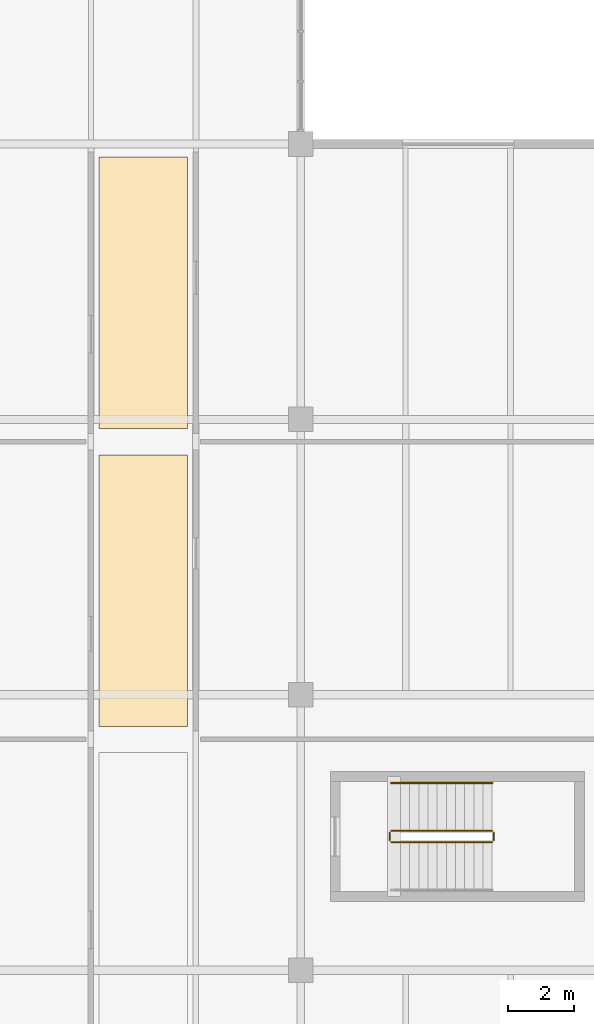
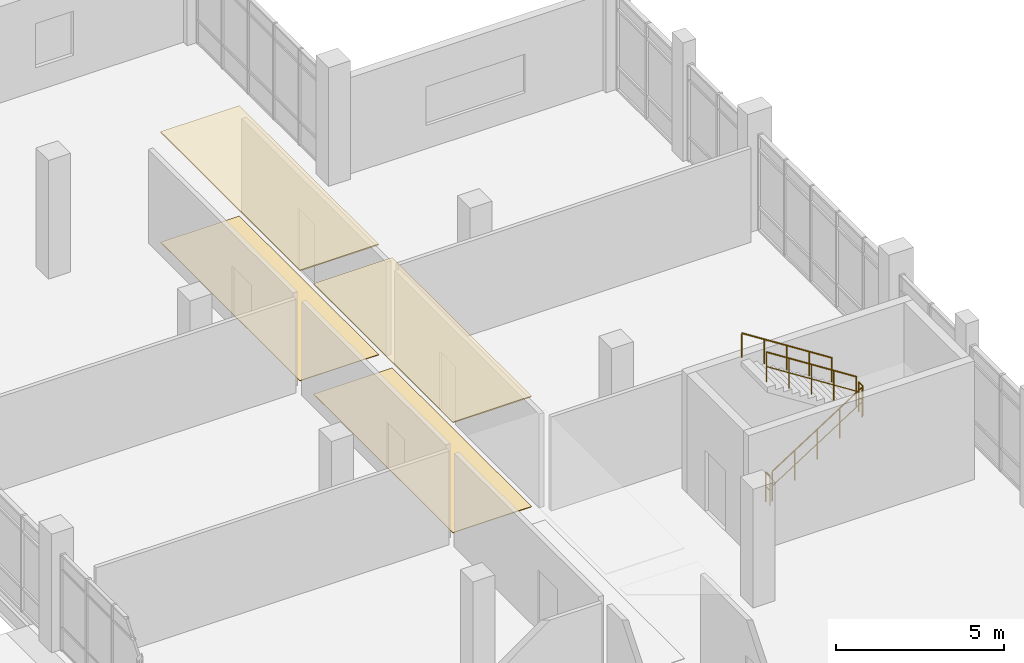
# One storey, part 80 of 86: 5 railings, 4 coverings.
"""IFC4 building model written with IfcOpenShell, lengths in metres."""

from ifc_helpers import new_model, si_unit, direction, frame, origin, origin_2d, place, context, subcontext, project, spatial, polyline, circle, outline, extrude, material, layer, layer_set, type_object, element, save


model = new_model("IFC4")

# Units and contexts
model_context = context("Model", 3, precision=1e-05, world=origin(), true_north=direction((0.0, 1.0)))
body_context = subcontext(model_context, "Body", "Model", "MODEL_VIEW")
ifc_project = project(units=[si_unit("LENGTHUNIT", "METRE"), si_unit("AREAUNIT", "SQUARE_METRE"), si_unit("VOLUMEUNIT", "CUBIC_METRE"), si_unit("PLANEANGLEUNIT", "RADIAN"), si_unit("MASSUNIT", "GRAM", prefix="KILO")], contexts=[model_context])

# Site, building, storey
site_placement = place(None, origin())
site = spatial("IfcSite", under=ifc_project, at=site_placement, CompositionType="ELEMENT")
building_placement = place(site_placement, origin())
building = spatial("IfcBuilding", under=site, at=building_placement, Name="Oolite Switchyard Hospital", CompositionType="ELEMENT")
storey_placement = place(building_placement, frame((0.0, 0.0, 13.5)))
storey = spatial("IfcBuildingStorey", under=building, at=storey_placement, Name="L03", CompositionType="ELEMENT", Elevation=13.5)

# Coverings
ifc_material_1 = material(Name="Hygienic washable mineral-fibre acoustic ceiling")
ifc_layer_1 = layer(ifc_material_1, 0.0400390625)
ifc_layer_set_1 = layer_set([ifc_layer_1], Name="COV-CEIL-AC60")
covering_type_1 = type_object("IfcCoveringType", Name="COV-CEIL-AC60", PredefinedType="CEILING", material=ifc_layer_set_1)
covering_1_placement = place(storey_placement, frame((0.0, 0.0, 3.985107421875)))
element("IfcCovering", 1, at=covering_1_placement, inside=storey, type_object=covering_type_1, Name="L03 Maternal Fetal Medicine Corridor Ceiling 4", PredefinedType="CEILING", context=body_context, shape_type="SweptSolid", body=[
    extrude(outline(polyline([(195.449951171875, 49.43994140625), (198.14990234375, 49.43994140625), (198.14990234375, 57.719970703125), (195.449951171875, 57.719970703125), (195.449951171875, 49.43994140625)])), origin(), (0.0, 0.0, 1.0), 0.039794921875),
])
covering_2_placement = place(storey_placement, frame((0.0, 0.0, 3.985107421875)))
element("IfcCovering", 2, at=covering_2_placement, inside=storey, type_object=covering_type_1, Name="L03 Maternal Fetal Medicine Corridor Ceiling 5", PredefinedType="CEILING", context=body_context, shape_type="SweptSolid", body=[
    extrude(outline(polyline([(195.449951171875, 58.52001953125), (198.14990234375, 58.52001953125), (198.14990234375, 66.800048828125), (195.449951171875, 66.800048828125), (195.449951171875, 58.52001953125)])), origin(), (0.0, 0.0, 1.0), 0.039794921875),
])
ifc_material_2 = material(Name="Epoxy terrazzo seamless clinical flooring")
ifc_layer_2 = layer(ifc_material_2, 0.02001953125)
ifc_layer_set_2 = layer_set([ifc_layer_2], Name="COV-FLR-TER20")
covering_type_2 = type_object("IfcCoveringType", Name="COV-FLR-TER20", PredefinedType="FLOORING", material=ifc_layer_set_2)
covering_3_placement = place(storey_placement, origin())
element("IfcCovering", 3, at=covering_3_placement, inside=storey, type_object=covering_type_2, Name="L03 Maternal Fetal Medicine Corridor Flooring 4", PredefinedType="FLOORING", context=body_context, shape_type="SweptSolid", body=[
    extrude(outline(polyline([(195.449951171875, 49.43994140625), (198.14990234375, 49.43994140625), (198.14990234375, 57.719970703125), (195.449951171875, 57.719970703125), (195.449951171875, 49.43994140625)])), origin(), (0.0, 0.0, 1.0), 0.02001953125),
])
covering_4_placement = place(storey_placement, origin())
element("IfcCovering", 4, at=covering_4_placement, inside=storey, type_object=covering_type_2, Name="L03 Maternal Fetal Medicine Corridor Flooring 5", PredefinedType="FLOORING", context=body_context, shape_type="SweptSolid", body=[
    extrude(outline(polyline([(195.449951171875, 58.52001953125), (198.14990234375, 58.52001953125), (198.14990234375, 66.800048828125), (195.449951171875, 66.800048828125), (195.449951171875, 58.52001953125)])), origin(), (0.0, 0.0, 1.0), 0.02001953125),
])

# Railings
ifc_material_3 = material(Name="Galvanized painted architectural steel handrail", Category="steel")
railing_type_1 = type_object("IfcRailingType", Name="RL-STAIR-GRD", PredefinedType="GUARDRAIL", material=ifc_material_3)
railing_1_placement = place(storey_placement, frame((204.360107421875, 45.909912109375, 0.17919921875)))
element("IfcRailing", 5, at=railing_1_placement, inside=storey, type_object=railing_type_1, Name="L03 ST-06 stair guard 1", PredefinedType="GUARDRAIL", context=body_context, shape_type="SweptSolid", body=[
    extrude(circle(Radius=0.02392578125, at=origin_2d()), frame((0.0, 0.0, 1.076171875), z_axis=(0.842319903074, 0.0, 0.538977903893), x_axis=(0.0, 1.0, 0.0)), (0.0, 0.0, 1.0), 3.65625),
    extrude(circle(Radius=0.015625, at=origin_2d()), frame((0.0, 0.0, 0.550048828125), z_axis=(0.842319903074, 0.0, 0.538977903893), x_axis=(0.0, 1.0, 0.0)), (0.0, 0.0, 1.0), 3.65625),
    extrude(circle(Radius=0.02099609375, at=origin_2d()), origin(), (0.0, 0.0, 1.0), 1.052001953125),
    extrude(circle(Radius=0.02099609375, at=origin_2d()), frame((0.77001953125, 0.0, 0.49267578125)), (0.0, 0.0, 1.0), 1.052001953125),
    extrude(circle(Radius=0.02099609375, at=origin_2d()), frame((1.5400390625, 0.0, 0.9853515625)), (0.0, 0.0, 1.0), 1.052001953125),
    extrude(circle(Radius=0.02099609375, at=origin_2d()), frame((2.309814453125, 0.0, 1.47802734375)), (0.0, 0.0, 1.0), 1.052001953125),
    extrude(circle(Radius=0.02099609375, at=origin_2d()), frame((3.079833984375, 0.0, 1.970703125)), (0.0, 0.0, 1.0), 1.052001953125),
])
railing_2_placement = place(storey_placement, frame((207.489990234375, 45.9599609375, 2.14990234375)))
element("IfcRailing", 6, at=railing_2_placement, inside=storey, type_object=railing_type_1, Name="L03 ST-06 stair guard 2", PredefinedType="GUARDRAIL", context=body_context, shape_type="SweptSolid", body=[
    extrude(circle(Radius=0.02392578125, at=origin_2d()), frame((0.0, 0.0, 1.076171875), z_axis=(0.0, 1.0, 0.0), x_axis=(-1.0, 0.0, 0.0)), (0.0, 0.0, 1.0), 0.239990234375),
    extrude(circle(Radius=0.015625, at=origin_2d()), frame((0.0, 0.0, 0.550048828125), z_axis=(0.0, 1.0, 0.0), x_axis=(-1.0, 0.0, 0.0)), (0.0, 0.0, 1.0), 0.239990234375),
    extrude(circle(Radius=0.02099609375, at=origin_2d()), origin(), (0.0, 0.0, 1.0), 1.052001953125),
    extrude(circle(Radius=0.02099609375, at=origin_2d()), frame((0.0, 0.239990234375, 0.0)), (0.0, 0.0, 1.0), 1.052001953125),
])
railing_3_placement = place(storey_placement, frame((207.43994140625, 46.25, 2.3291015625)))
element("IfcRailing", 7, at=railing_3_placement, inside=storey, type_object=railing_type_1, Name="L03 ST-06 stair guard 3", PredefinedType="GUARDRAIL", context=body_context, shape_type="SweptSolid", body=[
    extrude(circle(Radius=0.02392578125, at=origin_2d()), frame((0.0, 0.0, 1.076171875), z_axis=(-0.842289589211, 0.0, 0.539025275759), x_axis=(0.0, -1.0, 0.0)), (0.0, 0.0, 1.0), 3.656494140625),
    extrude(circle(Radius=0.015625, at=origin_2d()), frame((0.0, 0.0, 0.550048828125), z_axis=(-0.842289589211, 0.0, 0.539025275759), x_axis=(0.0, -1.0, 0.0)), (0.0, 0.0, 1.0), 3.656494140625),
    extrude(circle(Radius=0.02099609375, at=origin_2d()), origin(), (0.0, 0.0, 1.0), 1.052001953125),
    extrude(circle(Radius=0.02099609375, at=origin_2d()), frame((-0.77001953125, 0.0, 0.49267578125)), (0.0, 0.0, 1.0), 1.052001953125),
    extrude(circle(Radius=0.02099609375, at=origin_2d()), frame((-1.5400390625, 0.0, 0.9853515625)), (0.0, 0.0, 1.0), 1.052001953125),
    extrude(circle(Radius=0.02099609375, at=origin_2d()), frame((-2.309814453125, 0.0, 1.478271484375)), (0.0, 0.0, 1.0), 1.052001953125),
    extrude(circle(Radius=0.02099609375, at=origin_2d()), frame((-3.079833984375, 0.0, 1.970947265625)), (0.0, 0.0, 1.0), 1.052001953125),
])
railing_4_placement = place(storey_placement, frame((204.31005859375, 45.9599609375, 0.0)))
element("IfcRailing", 8, at=railing_4_placement, inside=storey, type_object=railing_type_1, Name="L03 ST-06 stair guard 4", PredefinedType="GUARDRAIL", context=body_context, shape_type="SweptSolid", body=[
    extrude(circle(Radius=0.02392578125, at=origin_2d()), frame((0.0, 0.0, 1.076171875), z_axis=(0.0, 1.0, 0.0), x_axis=(-1.0, 0.0, 0.0)), (0.0, 0.0, 1.0), 0.239990234375),
    extrude(circle(Radius=0.015625, at=origin_2d()), frame((0.0, 0.0, 0.550048828125), z_axis=(0.0, 1.0, 0.0), x_axis=(-1.0, 0.0, 0.0)), (0.0, 0.0, 1.0), 0.239990234375),
    extrude(circle(Radius=0.02099609375, at=origin_2d()), origin(), (0.0, 0.0, 1.0), 1.052001953125),
    extrude(circle(Radius=0.02099609375, at=origin_2d()), frame((0.0, 0.239990234375, 0.0)), (0.0, 0.0, 1.0), 1.052001953125),
])
railing_type_2 = type_object("IfcRailingType", Name="RL-STAIR-HND", PredefinedType="HANDRAIL", material=ifc_material_3)
railing_5_placement = place(storey_placement, frame((207.43994140625, 47.7099609375, 2.3291015625)))
element("IfcRailing", 9, at=railing_5_placement, inside=storey, type_object=railing_type_2, Name="L03 ST-06 stair handrail 2", PredefinedType="HANDRAIL", context=body_context, shape_type="SweptSolid", body=[
    extrude(circle(Radius=0.02392578125, at=origin_2d()), frame((0.0, 0.0, 0.8759765625), z_axis=(-0.842289589211, 0.0, 0.539025275759), x_axis=(0.0, -1.0, 0.0)), (0.0, 0.0, 1.0), 3.656494140625),
    extrude(circle(Radius=0.02099609375, at=origin_2d()), origin(), (0.0, 0.0, 1.0), 0.851806640625),
    extrude(circle(Radius=0.02099609375, at=origin_2d()), frame((-0.77001953125, 0.0, 0.49267578125)), (0.0, 0.0, 1.0), 0.851806640625),
    extrude(circle(Radius=0.02099609375, at=origin_2d()), frame((-1.5400390625, 0.0, 0.9853515625)), (0.0, 0.0, 1.0), 0.851806640625),
    extrude(circle(Radius=0.02099609375, at=origin_2d()), frame((-2.309814453125, 0.0, 1.478271484375)), (0.0, 0.0, 1.0), 0.851806640625),
    extrude(circle(Radius=0.02099609375, at=origin_2d()), frame((-3.079833984375, 0.0, 1.970947265625)), (0.0, 0.0, 1.0), 0.851806640625),
])

save(model, "model.ifc")
